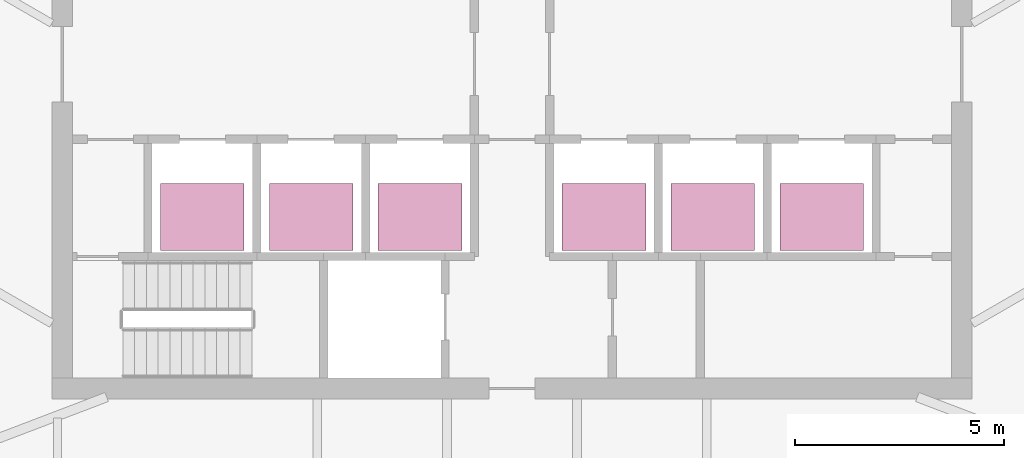
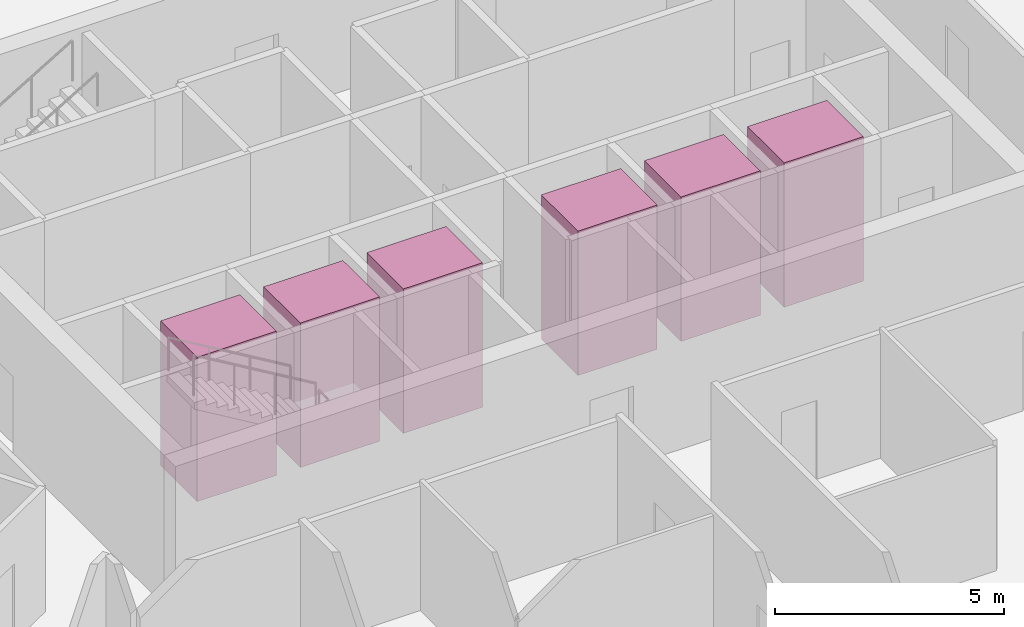
# One storey, part 18 of 18: 6 transport elements.
"""IFC4 building model written with IfcOpenShell, lengths in metres."""

from ifc_helpers import new_model, si_unit, direction, frame, origin, origin_2d, place, context, subcontext, project, spatial, rectangle, extrude, material, type_object, element, save


model = new_model("IFC4")

# Units and contexts
model_context = context("Model", 3, precision=1e-05, world=origin(), true_north=direction((0.0, 1.0)))
body_context = subcontext(model_context, "Body", "Model", "MODEL_VIEW")
ifc_project = project(units=[si_unit("LENGTHUNIT", "METRE"), si_unit("AREAUNIT", "SQUARE_METRE"), si_unit("VOLUMEUNIT", "CUBIC_METRE"), si_unit("PLANEANGLEUNIT", "RADIAN"), si_unit("MASSUNIT", "GRAM", prefix="KILO")], contexts=[model_context])

# Site, building, storey
site_placement = place(None, origin())
site = spatial("IfcSite", under=ifc_project, at=site_placement, CompositionType="ELEMENT")
building_placement = place(site_placement, origin())
building = spatial("IfcBuilding", under=site, at=building_placement, Name="Sierra Prisma Convention Tower", CompositionType="ELEMENT")
storey_placement = place(building_placement, frame((0.0, 0.0, 251.0)))
storey = spatial("IfcBuildingStorey", under=building, at=storey_placement, Name="L56", CompositionType="ELEMENT", Elevation=251.0)

# Transport elements
ifc_material = material(Name="Stainless steel", Category="steel")
transport_element_type = type_object("IfcTransportElementType", Name="Lift car office high 2000x1600 1600 kg", PredefinedType="ELEVATOR", material=ifc_material)
for number, where, z_axis, x_axis, name in (
    (1, (-7.39990234375, -3.64990234375, 0.0), (0.0, 0.0, 1.0), (1.0, 0.0, 0.0), "Lift OH1"),
    (2, (-4.800048828125, -3.64990234375, 0.0), (0.0, 0.0, 1.0), (1.0, 0.0, 0.0), "Lift OH2"),
    (3, (-2.199951171875, -3.64990234375, 0.0), (0.0, 0.0, 1.0), (1.0, 0.0, 0.0), "Lift OH3"),
    (4, (2.199951171875, -3.64990234375, 0.0), (0.0, 0.0, 1.0), (1.0, 0.0, 0.0), "Lift OH4"),
    (5, (4.800048828125, -3.64990234375, 0.0), (0.0, 0.0, 1.0), (1.0, 0.0, 0.0), "Lift OH5"),
    (6, (7.39990234375, -3.64990234375, 0.0), (0.0, 0.0, 1.0), (1.0, 0.0, 0.0), "Lift OH6"),
):
    element("IfcTransportElement", number, at=place(storey_placement, frame(where, z_axis=z_axis, x_axis=x_axis)), inside=storey, type_object=transport_element_type, Name=name, PredefinedType="ELEVATOR", context=body_context, shape_type="SweptSolid", body=[
        extrude(rectangle(XDim=2.0, YDim=1.60009765625, at=origin_2d()), origin(), (0.0, 0.0, 1.0), 3.85009765625),
    ])

save(model, "model.ifc")
